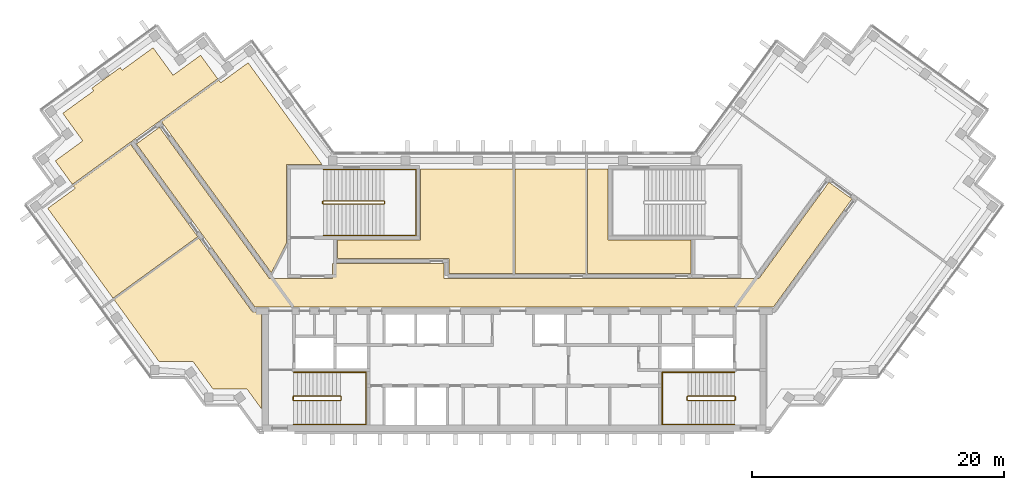
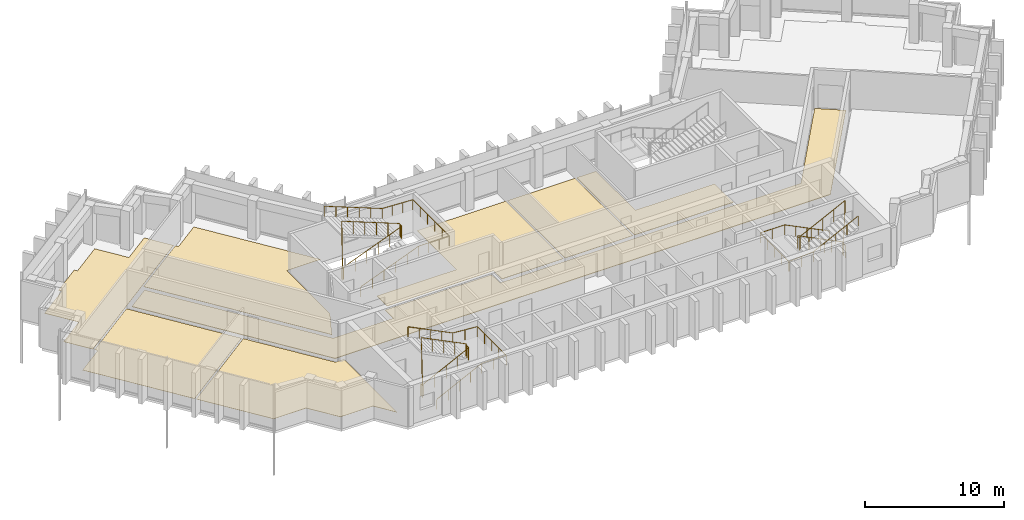
# One storey, part 12 of 13: 8 coverings, 6 railings.
"""IFC4 building model written with IfcOpenShell, lengths in metres."""

from ifc_helpers import new_model, si_unit, direction, frame, origin, origin_2d, place, context, subcontext, project, spatial, polyline, circle, outline, extrude, material, layer, layer_set, type_object, element, save


model = new_model("IFC4")

# Units and contexts
model_context = context("Model", 3, precision=1e-05, world=origin(), true_north=direction((0.0, 1.0)))
body_context = subcontext(model_context, "Body", "Model", "MODEL_VIEW")
ifc_project = project(units=[si_unit("LENGTHUNIT", "METRE"), si_unit("AREAUNIT", "SQUARE_METRE"), si_unit("VOLUMEUNIT", "CUBIC_METRE"), si_unit("PLANEANGLEUNIT", "RADIAN"), si_unit("MASSUNIT", "GRAM", prefix="KILO")], contexts=[model_context])

# Site, building, storey
site_placement = place(None, origin())
site = spatial("IfcSite", under=ifc_project, at=site_placement, CompositionType="ELEMENT")
building_placement = place(site_placement, origin())
building = spatial("IfcBuilding", under=site, at=building_placement, Name="Quipu Civic Tower", CompositionType="ELEMENT")
storey_placement = place(building_placement, frame((0.0, 0.0, 297.0)))
storey = spatial("IfcBuildingStorey", under=building, at=storey_placement, Name="L69", CompositionType="ELEMENT", Elevation=297.0)

# Coverings
ifc_material_1 = material(Name="Carpet tile on raised access floor")
ifc_layer_1 = layer(ifc_material_1, 0.02001953125)
ifc_layer_set_1 = layer_set([ifc_layer_1], Name="Carpet tile on raised access floor")
covering_type_1 = type_object("IfcCoveringType", Name="Carpet tile floor finish 20", PredefinedType="FLOORING", material=ifc_layer_set_1)
covering_1_placement = place(storey_placement, origin())
element("IfcCovering", 1, at=covering_1_placement, inside=storey, type_object=covering_type_1, Name="Carpet tile floor finish 20", PredefinedType="FLOORING", context=body_context, shape_type="SweptSolid", body=[
    extrude(outline(polyline([(-27.987060546875, 13.5791015625), (-23.447998046875, 16.876953125), (-23.299072265625, 16.676025390625), (-21.115966796875, 18.260986328125), (-15.238037109375, 10.169921875), (-18.070068359375, 10.1689453125), (-18.070068359375, 3.94189453125), (-19.27197265625, 1.583984375), (-27.987060546875, 13.5791015625)])), origin(), (0.0, 0.0, 1.0), 0.02001953125),
])
covering_2_placement = place(storey_placement, origin())
element("IfcCovering", 2, at=covering_2_placement, inside=storey, type_object=covering_type_1, Name="Carpet tile floor finish 20", PredefinedType="FLOORING", context=body_context, shape_type="SweptSolid", body=[
    extrude(outline(polyline([(-31.758056640625, -0.5390625), (-25.034912109375, 4.344970703125), (-20.77490234375, -1.51904296875), (-20.070068359375, -1.52001953125), (-20.070068359375, -9.195068359375), (-21.196044921875, -7.64599609375), (-23.89501953125, -7.64599609375), (-25.48193359375, -5.4619140625), (-28.181884765625, -5.4609375), (-31.758056640625, -0.5390625)])), origin(), (0.0, 0.0, 1.0), 0.02001953125),
])
covering_3_placement = place(storey_placement, origin())
element("IfcCovering", 3, at=covering_3_placement, inside=storey, type_object=covering_type_1, Name="Carpet tile floor finish 20", PredefinedType="FLOORING", context=body_context, shape_type="SweptSolid", body=[
    extrude(outline(polyline([(-14.030029296875, 2.719970703125), (-14.030029296875, 4.179931640625), (-7.430908203125, 4.180908203125), (-7.429931640625, 9.830078125), (-0.070068359375, 9.830078125), (-0.070068359375, 1.52001953125), (-5.179931640625, 1.52001953125), (-5.181884765625, 2.719970703125), (-14.030029296875, 2.719970703125)])), origin(), (0.0, 0.0, 1.0), 0.02001953125),
])
covering_4_placement = place(storey_placement, origin())
element("IfcCovering", 4, at=covering_4_placement, inside=storey, type_object=covering_type_1, Name="Carpet tile floor finish 20", PredefinedType="FLOORING", context=body_context, shape_type="SweptSolid", body=[
    extrude(outline(polyline([(-37.02197265625, 6.7060546875), (-34.839111328125, 8.291015625), (-34.985107421875, 8.493896484375), (-30.446044921875, 11.7919921875), (-25.117919921875, 4.4580078125), (-31.841064453125, -0.426025390625), (-37.02197265625, 6.7060546875)])), origin(), (0.0, 0.0, 1.0), 0.02001953125),
])
covering_5_placement = place(storey_placement, origin())
element("IfcCovering", 5, at=covering_5_placement, inside=storey, type_object=covering_type_1, Name="Carpet tile floor finish 20", PredefinedType="FLOORING", context=body_context, shape_type="SweptSolid", body=[
    extrude(outline(polyline([(0.070068359375, 9.830078125), (5.68798828125, 9.830078125), (5.68798828125, 1.52001953125), (0.070068359375, 1.52001953125), (0.070068359375, 9.830078125)])), origin(), (0.0, 0.0, 1.0), 0.02001953125),
])
covering_6_placement = place(storey_placement, origin())
element("IfcCovering", 6, at=covering_6_placement, inside=storey, type_object=covering_type_1, Name="Carpet tile floor finish 20", PredefinedType="FLOORING", context=body_context, shape_type="SweptSolid", body=[
    extrude(outline(polyline([(-36.425048828125, 10.47705078125), (-34.240966796875, 12.06396484375), (-35.826904296875, 14.248046875), (-33.3701171875, 16.032958984375), (-33.52197265625, 16.2451171875), (-31.27099609375, 17.8798828125), (-31.116943359375, 17.6708984375), (-28.658935546875, 19.455078125), (-27.073974609375, 17.27197265625), (-24.888916015625, 18.85791015625), (-23.531005859375, 16.989013671875), (-35.068115234375, 8.60791015625), (-36.425048828125, 10.47705078125)])), origin(), (0.0, 0.0, 1.0), 0.02001953125),
])
ifc_material_2 = material(Name="Ceramic floor tile")
ifc_layer_2 = layer(ifc_material_2, 0.030029296875)
ifc_layer_set_2 = layer_set([ifc_layer_2], Name="Ceramic floor tile")
covering_type_2 = type_object("IfcCoveringType", Name="Ceramic tile floor finish 30", PredefinedType="FLOORING", material=ifc_layer_set_2)
covering_7_placement = place(storey_placement, origin())
element("IfcCovering", 7, at=covering_7_placement, inside=storey, type_object=covering_type_2, Name="Ceramic tile floor finish 30", PredefinedType="FLOORING", context=body_context, shape_type="SweptSolid", body=[
    extrude(outline(polyline([(5.827880859375, 1.52001953125), (5.827880859375, 9.830078125), (7.429931640625, 9.830078125), (7.430908203125, 4.179931640625), (14.030029296875, 4.179931640625), (14.030029296875, 1.52001953125), (5.827880859375, 1.52001953125)])), origin(), (0.0, 0.0, 1.0), 0.030029296875),
])

# Railings
ifc_material_3 = material(Name="Stainless steel", Category="steel")
railing_type_1 = type_object("IfcRailingType", Name="Stair guard 1100", PredefinedType="GUARDRAIL", material=ifc_material_3)
railing_1_placement = place(storey_placement, frame((-17.5, -8.550048828125, 0.15380859375)))
element("IfcRailing", 8, at=railing_1_placement, inside=storey, type_object=railing_type_1, Name="Stair 1 guard", PredefinedType="GUARDRAIL", context=body_context, shape_type="SweptSolid", body=[
    extrude(circle(Radius=0.02392578125, at=origin_2d()), frame((0.0, 0.0, 1.076171875), z_axis=(0.895751851347, 0.0, 0.444554407028), x_axis=(0.0, 1.0, 0.0)), (0.0, 0.0, 1.0), 4.15283203125),
    extrude(circle(Radius=0.02392578125, at=origin_2d()), frame((3.719970703125, 0.0, 2.92236328125), z_axis=(0.707106781187, 0.707106781187, 0.0), x_axis=(-0.707106781187, 0.707106781187, 0.0)), (0.0, 0.0, 1.0), 0.07080078125),
    extrude(circle(Radius=0.02392578125, at=origin_2d()), frame((3.77001953125, 0.050048828125, 2.92236328125), z_axis=(0.0, 1.0, 0.0), x_axis=(-1.0, 0.0, 0.0)), (0.0, 0.0, 1.0), 0.25),
    extrude(circle(Radius=0.02392578125, at=origin_2d()), frame((3.77001953125, 0.300048828125, 2.92236328125), z_axis=(-0.295599637079, 0.295599637079, 0.908428152975), x_axis=(-0.707106781187, -0.707106781187, 0.0)), (0.0, 0.0, 1.0), 0.16943359375),
    extrude(circle(Radius=0.02392578125, at=origin_2d()), frame((3.719970703125, 0.35009765625, 3.076171875), z_axis=(-0.895751851347, 0.0, 0.444554407028), x_axis=(0.0, -1.0, 0.0)), (0.0, 0.0, 1.0), 4.15283203125),
    extrude(circle(Radius=0.02392578125, at=origin_2d()), frame((0.0, 0.35009765625, 4.92236328125), z_axis=(-0.012476181752, -0.074796231092, -0.997120789425), x_axis=(0.986372223864, -0.164529134168, 0.0)), (0.0, 0.0, 1.0), 4.011474609375),
    extrude(circle(Radius=0.02392578125, at=origin_2d()), frame((-0.050048828125, 0.050048828125, 0.92236328125), z_axis=(0.0, 1.0, 0.0), x_axis=(-1.0, 0.0, 0.0)), (0.0, 0.0, 1.0), 0.25),
    extrude(circle(Radius=0.02099609375, at=origin_2d()), origin(), (0.0, 0.0, 1.0), 1.052001953125),
    extrude(circle(Radius=0.02099609375, at=origin_2d()), frame((0.929931640625, 0.0, 0.46142578125)), (0.0, 0.0, 1.0), 1.052001953125),
    extrude(circle(Radius=0.02099609375, at=origin_2d()), frame((1.85986328125, 0.0, 0.923095703125)), (0.0, 0.0, 1.0), 1.052001953125),
    extrude(circle(Radius=0.02099609375, at=origin_2d()), frame((2.7900390625, 0.0, 1.384765625)), (0.0, 0.0, 1.0), 1.052001953125),
    extrude(circle(Radius=0.02099609375, at=origin_2d()), frame((3.719970703125, 0.0, 1.84619140625)), (0.0, 0.0, 1.0), 1.052001953125),
    extrude(circle(Radius=0.02099609375, at=origin_2d()), frame((3.77001953125, 0.050048828125, 1.84619140625)), (0.0, 0.0, 1.0), 1.052001953125),
    extrude(circle(Radius=0.02099609375, at=origin_2d()), frame((3.77001953125, 0.300048828125, 1.84619140625)), (0.0, 0.0, 1.0), 1.052001953125),
    extrude(circle(Radius=0.02099609375, at=origin_2d()), frame((3.719970703125, 0.35009765625, 2.0)), (0.0, 0.0, 1.0), 1.052001953125),
    extrude(circle(Radius=0.02099609375, at=origin_2d()), frame((2.7900390625, 0.35009765625, 2.46142578125)), (0.0, 0.0, 1.0), 1.052001953125),
    extrude(circle(Radius=0.02099609375, at=origin_2d()), frame((1.85986328125, 0.35009765625, 2.923095703125)), (0.0, 0.0, 1.0), 1.052001953125),
    extrude(circle(Radius=0.02099609375, at=origin_2d()), frame((0.929931640625, 0.35009765625, 3.384765625)), (0.0, 0.0, 1.0), 1.052001953125),
    extrude(circle(Radius=0.02099609375, at=origin_2d()), frame((0.0, 0.35009765625, 3.84619140625)), (0.0, 0.0, 1.0), 1.052001953125),
    extrude(circle(Radius=0.02099609375, at=origin_2d()), frame((-0.012451171875, 0.275146484375, 2.84619140625)), (0.0, 0.0, 1.0), 1.052001953125),
    extrude(circle(Radius=0.02099609375, at=origin_2d()), frame((-0.02490234375, 0.2001953125, 1.84619140625)), (0.0, 0.0, 1.0), 1.052001953125),
    extrude(circle(Radius=0.02099609375, at=origin_2d()), frame((-0.03759765625, 0.125, 0.84619140625)), (0.0, 0.0, 1.0), 1.052001953125),
    extrude(circle(Radius=0.02099609375, at=origin_2d()), frame((-0.050048828125, 0.050048828125, -0.15380859375)), (0.0, 0.0, 1.0), 1.052001953125),
    extrude(circle(Radius=0.02099609375, at=origin_2d()), frame((-0.050048828125, 0.300048828125, -0.15380859375)), (0.0, 0.0, 1.0), 1.052001953125),
])
railing_2_placement = place(storey_placement, frame((17.5, -8.199951171875, 0.15380859375)))
element("IfcRailing", 9, at=railing_2_placement, inside=storey, type_object=railing_type_1, Name="Stair 2 guard", PredefinedType="GUARDRAIL", context=body_context, shape_type="SweptSolid", body=[
    extrude(circle(Radius=0.02392578125, at=origin_2d()), frame((0.0, 0.0, 1.076171875), z_axis=(-0.895751851347, 0.0, 0.444554407028), x_axis=(0.0, -1.0, 0.0)), (0.0, 0.0, 1.0), 4.15283203125),
    extrude(circle(Radius=0.02392578125, at=origin_2d()), frame((-3.719970703125, 0.0, 2.92236328125), z_axis=(-0.707106781187, -0.707106781187, 0.0), x_axis=(0.707106781187, -0.707106781187, 0.0)), (0.0, 0.0, 1.0), 0.07080078125),
    extrude(circle(Radius=0.02392578125, at=origin_2d()), frame((-3.77001953125, -0.050048828125, 2.92236328125), z_axis=(0.0, -1.0, 0.0), x_axis=(1.0, 0.0, 0.0)), (0.0, 0.0, 1.0), 0.25),
    extrude(circle(Radius=0.02392578125, at=origin_2d()), frame((-3.77001953125, -0.300048828125, 2.92236328125), z_axis=(0.295599637079, -0.295599637079, 0.908428152975), x_axis=(0.707106781187, 0.707106781187, 0.0)), (0.0, 0.0, 1.0), 0.16943359375),
    extrude(circle(Radius=0.02392578125, at=origin_2d()), frame((-3.719970703125, -0.35009765625, 3.076171875), z_axis=(0.895751851347, 0.0, 0.444554407028), x_axis=(0.0, 1.0, 0.0)), (0.0, 0.0, 1.0), 4.15283203125),
    extrude(circle(Radius=0.02392578125, at=origin_2d()), frame((0.0, -0.35009765625, 4.92236328125), z_axis=(0.012476181752, 0.074796231092, -0.997120789425), x_axis=(-0.986372223864, 0.164529134168, 0.0)), (0.0, 0.0, 1.0), 4.011474609375),
    extrude(circle(Radius=0.02392578125, at=origin_2d()), frame((0.050048828125, -0.050048828125, 0.92236328125), z_axis=(0.0, -1.0, 0.0), x_axis=(1.0, 0.0, 0.0)), (0.0, 0.0, 1.0), 0.25),
    extrude(circle(Radius=0.02099609375, at=origin_2d()), origin(), (0.0, 0.0, 1.0), 1.052001953125),
    extrude(circle(Radius=0.02099609375, at=origin_2d()), frame((-0.929931640625, 0.0, 0.46142578125)), (0.0, 0.0, 1.0), 1.052001953125),
    extrude(circle(Radius=0.02099609375, at=origin_2d()), frame((-1.85986328125, 0.0, 0.923095703125)), (0.0, 0.0, 1.0), 1.052001953125),
    extrude(circle(Radius=0.02099609375, at=origin_2d()), frame((-2.7900390625, 0.0, 1.384765625)), (0.0, 0.0, 1.0), 1.052001953125),
    extrude(circle(Radius=0.02099609375, at=origin_2d()), frame((-3.719970703125, 0.0, 1.84619140625)), (0.0, 0.0, 1.0), 1.052001953125),
    extrude(circle(Radius=0.02099609375, at=origin_2d()), frame((-3.77001953125, -0.050048828125, 1.84619140625)), (0.0, 0.0, 1.0), 1.052001953125),
    extrude(circle(Radius=0.02099609375, at=origin_2d()), frame((-3.77001953125, -0.300048828125, 1.84619140625)), (0.0, 0.0, 1.0), 1.052001953125),
    extrude(circle(Radius=0.02099609375, at=origin_2d()), frame((-3.719970703125, -0.35009765625, 2.0)), (0.0, 0.0, 1.0), 1.052001953125),
    extrude(circle(Radius=0.02099609375, at=origin_2d()), frame((-2.7900390625, -0.35009765625, 2.46142578125)), (0.0, 0.0, 1.0), 1.052001953125),
    extrude(circle(Radius=0.02099609375, at=origin_2d()), frame((-1.85986328125, -0.35009765625, 2.923095703125)), (0.0, 0.0, 1.0), 1.052001953125),
    extrude(circle(Radius=0.02099609375, at=origin_2d()), frame((-0.929931640625, -0.35009765625, 3.384765625)), (0.0, 0.0, 1.0), 1.052001953125),
    extrude(circle(Radius=0.02099609375, at=origin_2d()), frame((0.0, -0.35009765625, 3.84619140625)), (0.0, 0.0, 1.0), 1.052001953125),
    extrude(circle(Radius=0.02099609375, at=origin_2d()), frame((0.012451171875, -0.275146484375, 2.84619140625)), (0.0, 0.0, 1.0), 1.052001953125),
    extrude(circle(Radius=0.02099609375, at=origin_2d()), frame((0.02490234375, -0.2001953125, 1.84619140625)), (0.0, 0.0, 1.0), 1.052001953125),
    extrude(circle(Radius=0.02099609375, at=origin_2d()), frame((0.03759765625, -0.125, 0.84619140625)), (0.0, 0.0, 1.0), 1.052001953125),
    extrude(circle(Radius=0.02099609375, at=origin_2d()), frame((0.050048828125, -0.050048828125, -0.15380859375)), (0.0, 0.0, 1.0), 1.052001953125),
    extrude(circle(Radius=0.02099609375, at=origin_2d()), frame((0.050048828125, -0.300048828125, -0.15380859375)), (0.0, 0.0, 1.0), 1.052001953125),
])
railing_3_placement = place(storey_placement, frame((-15.14990234375, 7.050048828125, 0.11767578125)))
element("IfcRailing", 10, at=railing_3_placement, inside=storey, type_object=railing_type_1, Name="Stair 3 guard", PredefinedType="GUARDRAIL", context=body_context, shape_type="SweptSolid", body=[
    extrude(circle(Radius=0.02392578125, at=origin_2d()), frame((0.0, 0.0, 1.076171875), z_axis=(0.930970042603, 0.0, 0.365095576219), x_axis=(0.0, 1.0, 0.0)), (0.0, 0.0, 1.0), 5.15576171875),
    extrude(circle(Radius=0.02392578125, at=origin_2d()), frame((4.7998046875, 0.0, 2.95849609375), z_axis=(0.707106781187, 0.707106781187, 0.0), x_axis=(-0.707106781187, 0.707106781187, 0.0)), (0.0, 0.0, 1.0), 0.07080078125),
    extrude(circle(Radius=0.02392578125, at=origin_2d()), frame((4.849853515625, 0.050048828125, 2.95849609375), z_axis=(0.0, 1.0, 0.0), x_axis=(-1.0, 0.0, 0.0)), (0.0, 0.0, 1.0), 0.14990234375),
    extrude(circle(Radius=0.02392578125, at=origin_2d()), frame((4.849853515625, 0.199951171875, 2.95849609375), z_axis=(-0.364463019033, 0.364463019033, 0.856932561824), x_axis=(-0.707106781187, -0.707106781187, 0.0)), (0.0, 0.0, 1.0), 0.13720703125),
    extrude(circle(Radius=0.02392578125, at=origin_2d()), frame((4.7998046875, 0.25, 3.076171875), z_axis=(-0.930970042603, 0.0, 0.365095576219), x_axis=(0.0, -1.0, 0.0)), (0.0, 0.0, 1.0), 5.15576171875),
    extrude(circle(Radius=0.02392578125, at=origin_2d()), frame((0.0, 0.25, 4.95849609375), z_axis=(-0.012495627992, -0.049921557685, -0.998674970829), x_axis=(0.970072785993, -0.242814311512, 0.0)), (0.0, 0.0, 1.0), 4.00537109375),
    extrude(circle(Radius=0.02392578125, at=origin_2d()), frame((-0.050048828125, 0.050048828125, 0.95849609375), z_axis=(0.0, 1.0, 0.0), x_axis=(-1.0, 0.0, 0.0)), (0.0, 0.0, 1.0), 0.14990234375),
    extrude(circle(Radius=0.02099609375, at=origin_2d()), origin(), (0.0, 0.0, 1.0), 1.052001953125),
    extrude(circle(Radius=0.02099609375, at=origin_2d()), frame((0.9599609375, 0.0, 0.37646484375)), (0.0, 0.0, 1.0), 1.052001953125),
    extrude(circle(Radius=0.02099609375, at=origin_2d()), frame((1.919921875, 0.0, 0.7529296875)), (0.0, 0.0, 1.0), 1.052001953125),
    extrude(circle(Radius=0.02099609375, at=origin_2d()), frame((2.8798828125, 0.0, 1.12939453125)), (0.0, 0.0, 1.0), 1.052001953125),
    extrude(circle(Radius=0.02099609375, at=origin_2d()), frame((3.83984375, 0.0, 1.505859375)), (0.0, 0.0, 1.0), 1.052001953125),
    extrude(circle(Radius=0.02099609375, at=origin_2d()), frame((4.7998046875, 0.0, 1.88232421875)), (0.0, 0.0, 1.0), 1.052001953125),
    extrude(circle(Radius=0.02099609375, at=origin_2d()), frame((4.849853515625, 0.050048828125, 1.88232421875)), (0.0, 0.0, 1.0), 1.052001953125),
    extrude(circle(Radius=0.02099609375, at=origin_2d()), frame((4.849853515625, 0.199951171875, 1.88232421875)), (0.0, 0.0, 1.0), 1.052001953125),
    extrude(circle(Radius=0.02099609375, at=origin_2d()), frame((4.7998046875, 0.25, 2.0)), (0.0, 0.0, 1.0), 1.052001953125),
    extrude(circle(Radius=0.02099609375, at=origin_2d()), frame((3.83984375, 0.25, 2.37646484375)), (0.0, 0.0, 1.0), 1.052001953125),
    extrude(circle(Radius=0.02099609375, at=origin_2d()), frame((2.8798828125, 0.25, 2.7529296875)), (0.0, 0.0, 1.0), 1.052001953125),
    extrude(circle(Radius=0.02099609375, at=origin_2d()), frame((1.919921875, 0.25, 3.12939453125)), (0.0, 0.0, 1.0), 1.052001953125),
    extrude(circle(Radius=0.02099609375, at=origin_2d()), frame((0.9599609375, 0.25, 3.505859375)), (0.0, 0.0, 1.0), 1.052001953125),
    extrude(circle(Radius=0.02099609375, at=origin_2d()), frame((0.0, 0.25, 3.88232421875)), (0.0, 0.0, 1.0), 1.052001953125),
    extrude(circle(Radius=0.02099609375, at=origin_2d()), frame((-0.012451171875, 0.199951171875, 2.88232421875)), (0.0, 0.0, 1.0), 1.052001953125),
    extrude(circle(Radius=0.02099609375, at=origin_2d()), frame((-0.02490234375, 0.14990234375, 1.88232421875)), (0.0, 0.0, 1.0), 1.052001953125),
    extrude(circle(Radius=0.02099609375, at=origin_2d()), frame((-0.03759765625, 0.10009765625, 0.88232421875)), (0.0, 0.0, 1.0), 1.052001953125),
    extrude(circle(Radius=0.02099609375, at=origin_2d()), frame((-0.050048828125, 0.050048828125, -0.11767578125)), (0.0, 0.0, 1.0), 1.052001953125),
    extrude(circle(Radius=0.02099609375, at=origin_2d()), frame((-0.050048828125, 0.199951171875, -0.11767578125)), (0.0, 0.0, 1.0), 1.052001953125),
])
ifc_material_4 = material(Name="Stainless steel", Category="steel")
railing_type_2 = type_object("IfcRailingType", Name="Stair handrail", PredefinedType="HANDRAIL", material=ifc_material_4)
railing_4_placement = place(storey_placement, frame((-17.5, -10.449951171875, 0.15380859375)))
element("IfcRailing", 11, at=railing_4_placement, inside=storey, type_object=railing_type_2, Name="Stair 1 handrail", PredefinedType="HANDRAIL", context=body_context, shape_type="SweptSolid", body=[
    extrude(circle(Radius=0.02392578125, at=origin_2d()), frame((0.0, 0.0, 0.8759765625), z_axis=(0.895751851347, 0.0, 0.444554407028), x_axis=(0.0, 1.0, 0.0)), (0.0, 0.0, 1.0), 4.15283203125),
    extrude(circle(Radius=0.02392578125, at=origin_2d()), frame((3.719970703125, 0.0, 2.72216796875), z_axis=(1.0, 0.0, 0.0), x_axis=(0.0, 1.0, 0.0)), (0.0, 0.0, 1.0), 2.030029296875),
    extrude(circle(Radius=0.02392578125, at=origin_2d()), frame((5.75, 0.0, 2.72216796875), z_axis=(0.0, 1.0, 0.0), x_axis=(-1.0, 0.0, 0.0)), (0.0, 0.0, 1.0), 4.14990234375),
    extrude(circle(Radius=0.02392578125, at=origin_2d()), frame((5.75, 4.14990234375, 2.72216796875), z_axis=(-0.997142003663, 0.0, 0.075550145798), x_axis=(0.0, -1.0, 0.0)), (0.0, 0.0, 1.0), 2.035888671875),
    extrude(circle(Radius=0.02392578125, at=origin_2d()), frame((3.719970703125, 4.14990234375, 2.8759765625), z_axis=(-0.895751851347, 0.0, 0.444554407028), x_axis=(0.0, -1.0, 0.0)), (0.0, 0.0, 1.0), 4.15283203125),
    extrude(circle(Radius=0.02099609375, at=origin_2d()), origin(), (0.0, 0.0, 1.0), 0.851806640625),
    extrude(circle(Radius=0.02099609375, at=origin_2d()), frame((0.929931640625, 0.0, 0.46142578125)), (0.0, 0.0, 1.0), 0.851806640625),
    extrude(circle(Radius=0.02099609375, at=origin_2d()), frame((1.85986328125, 0.0, 0.923095703125)), (0.0, 0.0, 1.0), 0.851806640625),
    extrude(circle(Radius=0.02099609375, at=origin_2d()), frame((2.7900390625, 0.0, 1.384765625)), (0.0, 0.0, 1.0), 0.851806640625),
    extrude(circle(Radius=0.02099609375, at=origin_2d()), frame((3.719970703125, 0.0, 1.84619140625)), (0.0, 0.0, 1.0), 0.851806640625),
    extrude(circle(Radius=0.02099609375, at=origin_2d()), frame((4.73486328125, 0.0, 1.84619140625)), (0.0, 0.0, 1.0), 0.851806640625),
    extrude(circle(Radius=0.02099609375, at=origin_2d()), frame((5.75, 0.0, 1.84619140625)), (0.0, 0.0, 1.0), 0.851806640625),
    extrude(circle(Radius=0.02099609375, at=origin_2d()), frame((5.75, 1.03759765625, 1.84619140625)), (0.0, 0.0, 1.0), 0.851806640625),
    extrude(circle(Radius=0.02099609375, at=origin_2d()), frame((5.75, 2.074951171875, 1.84619140625)), (0.0, 0.0, 1.0), 0.851806640625),
    extrude(circle(Radius=0.02099609375, at=origin_2d()), frame((5.75, 3.1123046875, 1.84619140625)), (0.0, 0.0, 1.0), 0.851806640625),
    extrude(circle(Radius=0.02099609375, at=origin_2d()), frame((5.75, 4.14990234375, 1.84619140625)), (0.0, 0.0, 1.0), 0.851806640625),
    extrude(circle(Radius=0.02099609375, at=origin_2d()), frame((4.73486328125, 4.14990234375, 1.923095703125)), (0.0, 0.0, 1.0), 0.851806640625),
    extrude(circle(Radius=0.02099609375, at=origin_2d()), frame((3.719970703125, 4.14990234375, 2.0)), (0.0, 0.0, 1.0), 0.851806640625),
    extrude(circle(Radius=0.02099609375, at=origin_2d()), frame((2.7900390625, 4.14990234375, 2.46142578125)), (0.0, 0.0, 1.0), 0.851806640625),
    extrude(circle(Radius=0.02099609375, at=origin_2d()), frame((1.85986328125, 4.14990234375, 2.923095703125)), (0.0, 0.0, 1.0), 0.851806640625),
    extrude(circle(Radius=0.02099609375, at=origin_2d()), frame((0.929931640625, 4.14990234375, 3.384765625)), (0.0, 0.0, 1.0), 0.851806640625),
    extrude(circle(Radius=0.02099609375, at=origin_2d()), frame((0.0, 4.14990234375, 3.84619140625)), (0.0, 0.0, 1.0), 0.851806640625),
])
railing_5_placement = place(storey_placement, frame((17.5, -6.300048828125, 0.15380859375)))
element("IfcRailing", 12, at=railing_5_placement, inside=storey, type_object=railing_type_2, Name="Stair 2 handrail", PredefinedType="HANDRAIL", context=body_context, shape_type="SweptSolid", body=[
    extrude(circle(Radius=0.02392578125, at=origin_2d()), frame((0.0, 0.0, 0.8759765625), z_axis=(-0.895751851347, 0.0, 0.444554407028), x_axis=(0.0, -1.0, 0.0)), (0.0, 0.0, 1.0), 4.15283203125),
    extrude(circle(Radius=0.02392578125, at=origin_2d()), frame((-3.719970703125, 0.0, 2.72216796875), z_axis=(-1.0, 0.0, 0.0), x_axis=(0.0, -1.0, 0.0)), (0.0, 0.0, 1.0), 2.030029296875),
    extrude(circle(Radius=0.02392578125, at=origin_2d()), frame((-5.75, 0.0, 2.72216796875), z_axis=(0.0, -1.0, 0.0), x_axis=(1.0, 0.0, 0.0)), (0.0, 0.0, 1.0), 4.14990234375),
    extrude(circle(Radius=0.02392578125, at=origin_2d()), frame((-5.75, -4.14990234375, 2.72216796875), z_axis=(0.997142003663, 0.0, 0.075550145798), x_axis=(0.0, 1.0, 0.0)), (0.0, 0.0, 1.0), 2.035888671875),
    extrude(circle(Radius=0.02392578125, at=origin_2d()), frame((-3.719970703125, -4.14990234375, 2.8759765625), z_axis=(0.895751851347, 0.0, 0.444554407028), x_axis=(0.0, 1.0, 0.0)), (0.0, 0.0, 1.0), 4.15283203125),
    extrude(circle(Radius=0.02099609375, at=origin_2d()), origin(), (0.0, 0.0, 1.0), 0.851806640625),
    extrude(circle(Radius=0.02099609375, at=origin_2d()), frame((-0.929931640625, 0.0, 0.46142578125)), (0.0, 0.0, 1.0), 0.851806640625),
    extrude(circle(Radius=0.02099609375, at=origin_2d()), frame((-1.85986328125, 0.0, 0.923095703125)), (0.0, 0.0, 1.0), 0.851806640625),
    extrude(circle(Radius=0.02099609375, at=origin_2d()), frame((-2.7900390625, 0.0, 1.384765625)), (0.0, 0.0, 1.0), 0.851806640625),
    extrude(circle(Radius=0.02099609375, at=origin_2d()), frame((-3.719970703125, 0.0, 1.84619140625)), (0.0, 0.0, 1.0), 0.851806640625),
    extrude(circle(Radius=0.02099609375, at=origin_2d()), frame((-4.73486328125, 0.0, 1.84619140625)), (0.0, 0.0, 1.0), 0.851806640625),
    extrude(circle(Radius=0.02099609375, at=origin_2d()), frame((-5.75, 0.0, 1.84619140625)), (0.0, 0.0, 1.0), 0.851806640625),
    extrude(circle(Radius=0.02099609375, at=origin_2d()), frame((-5.75, -1.03759765625, 1.84619140625)), (0.0, 0.0, 1.0), 0.851806640625),
    extrude(circle(Radius=0.02099609375, at=origin_2d()), frame((-5.75, -2.074951171875, 1.84619140625)), (0.0, 0.0, 1.0), 0.851806640625),
    extrude(circle(Radius=0.02099609375, at=origin_2d()), frame((-5.75, -3.1123046875, 1.84619140625)), (0.0, 0.0, 1.0), 0.851806640625),
    extrude(circle(Radius=0.02099609375, at=origin_2d()), frame((-5.75, -4.14990234375, 1.84619140625)), (0.0, 0.0, 1.0), 0.851806640625),
    extrude(circle(Radius=0.02099609375, at=origin_2d()), frame((-4.73486328125, -4.14990234375, 1.923095703125)), (0.0, 0.0, 1.0), 0.851806640625),
    extrude(circle(Radius=0.02099609375, at=origin_2d()), frame((-3.719970703125, -4.14990234375, 2.0)), (0.0, 0.0, 1.0), 0.851806640625),
    extrude(circle(Radius=0.02099609375, at=origin_2d()), frame((-2.7900390625, -4.14990234375, 2.46142578125)), (0.0, 0.0, 1.0), 0.851806640625),
    extrude(circle(Radius=0.02099609375, at=origin_2d()), frame((-1.85986328125, -4.14990234375, 2.923095703125)), (0.0, 0.0, 1.0), 0.851806640625),
    extrude(circle(Radius=0.02099609375, at=origin_2d()), frame((-0.929931640625, -4.14990234375, 3.384765625)), (0.0, 0.0, 1.0), 0.851806640625),
    extrude(circle(Radius=0.02099609375, at=origin_2d()), frame((0.0, -4.14990234375, 3.84619140625)), (0.0, 0.0, 1.0), 0.851806640625),
])
railing_6_placement = place(storey_placement, frame((-15.14990234375, 4.550048828125, 0.11767578125)))
element("IfcRailing", 13, at=railing_6_placement, inside=storey, type_object=railing_type_2, Name="Stair 3 handrail", PredefinedType="HANDRAIL", context=body_context, shape_type="SweptSolid", body=[
    extrude(circle(Radius=0.02392578125, at=origin_2d()), frame((0.0, 0.0, 0.8759765625), z_axis=(0.930970042603, 0.0, 0.365095576219), x_axis=(0.0, 1.0, 0.0)), (0.0, 0.0, 1.0), 5.15576171875),
    extrude(circle(Radius=0.02392578125, at=origin_2d()), frame((4.7998046875, 0.0, 2.75830078125), z_axis=(1.0, 0.0, 0.0), x_axis=(0.0, 1.0, 0.0)), (0.0, 0.0, 1.0), 2.550048828125),
    extrude(circle(Radius=0.02392578125, at=origin_2d()), frame((7.349853515625, 0.0, 2.75830078125), z_axis=(0.0, 1.0, 0.0), x_axis=(-1.0, 0.0, 0.0)), (0.0, 0.0, 1.0), 5.25),
    extrude(circle(Radius=0.02392578125, at=origin_2d()), frame((7.349853515625, 5.25, 2.75830078125), z_axis=(-0.998936948642, 0.0, 0.04609742549), x_axis=(0.0, -1.0, 0.0)), (0.0, 0.0, 1.0), 2.552734375),
    extrude(circle(Radius=0.02392578125, at=origin_2d()), frame((4.7998046875, 5.25, 2.8759765625), z_axis=(-0.930970042603, 0.0, 0.365095576219), x_axis=(0.0, -1.0, 0.0)), (0.0, 0.0, 1.0), 5.15576171875),
    extrude(circle(Radius=0.02099609375, at=origin_2d()), origin(), (0.0, 0.0, 1.0), 0.851806640625),
    extrude(circle(Radius=0.02099609375, at=origin_2d()), frame((0.9599609375, 0.0, 0.37646484375)), (0.0, 0.0, 1.0), 0.851806640625),
    extrude(circle(Radius=0.02099609375, at=origin_2d()), frame((1.919921875, 0.0, 0.7529296875)), (0.0, 0.0, 1.0), 0.851806640625),
    extrude(circle(Radius=0.02099609375, at=origin_2d()), frame((2.8798828125, 0.0, 1.12939453125)), (0.0, 0.0, 1.0), 0.851806640625),
    extrude(circle(Radius=0.02099609375, at=origin_2d()), frame((3.83984375, 0.0, 1.505859375)), (0.0, 0.0, 1.0), 0.851806640625),
    extrude(circle(Radius=0.02099609375, at=origin_2d()), frame((4.7998046875, 0.0, 1.88232421875)), (0.0, 0.0, 1.0), 0.851806640625),
    extrude(circle(Radius=0.02099609375, at=origin_2d()), frame((5.64990234375, 0.0, 1.88232421875)), (0.0, 0.0, 1.0), 0.851806640625),
    extrude(circle(Radius=0.02099609375, at=origin_2d()), frame((6.499755859375, 0.0, 1.88232421875)), (0.0, 0.0, 1.0), 0.851806640625),
    extrude(circle(Radius=0.02099609375, at=origin_2d()), frame((7.349853515625, 0.0, 1.88232421875)), (0.0, 0.0, 1.0), 0.851806640625),
    extrude(circle(Radius=0.02099609375, at=origin_2d()), frame((7.349853515625, 1.050048828125, 1.88232421875)), (0.0, 0.0, 1.0), 0.851806640625),
    extrude(circle(Radius=0.02099609375, at=origin_2d()), frame((7.349853515625, 2.10009765625, 1.88232421875)), (0.0, 0.0, 1.0), 0.851806640625),
    extrude(circle(Radius=0.02099609375, at=origin_2d()), frame((7.349853515625, 3.14990234375, 1.88232421875)), (0.0, 0.0, 1.0), 0.851806640625),
    extrude(circle(Radius=0.02099609375, at=origin_2d()), frame((7.349853515625, 4.199951171875, 1.88232421875)), (0.0, 0.0, 1.0), 0.851806640625),
    extrude(circle(Radius=0.02099609375, at=origin_2d()), frame((7.349853515625, 5.25, 1.88232421875)), (0.0, 0.0, 1.0), 0.851806640625),
    extrude(circle(Radius=0.02099609375, at=origin_2d()), frame((6.499755859375, 5.25, 1.921630859375)), (0.0, 0.0, 1.0), 0.851806640625),
    extrude(circle(Radius=0.02099609375, at=origin_2d()), frame((5.64990234375, 5.25, 1.960693359375)), (0.0, 0.0, 1.0), 0.851806640625),
    extrude(circle(Radius=0.02099609375, at=origin_2d()), frame((4.7998046875, 5.25, 2.0)), (0.0, 0.0, 1.0), 0.851806640625),
    extrude(circle(Radius=0.02099609375, at=origin_2d()), frame((3.83984375, 5.25, 2.37646484375)), (0.0, 0.0, 1.0), 0.851806640625),
    extrude(circle(Radius=0.02099609375, at=origin_2d()), frame((2.8798828125, 5.25, 2.7529296875)), (0.0, 0.0, 1.0), 0.851806640625),
    extrude(circle(Radius=0.02099609375, at=origin_2d()), frame((1.919921875, 5.25, 3.12939453125)), (0.0, 0.0, 1.0), 0.851806640625),
    extrude(circle(Radius=0.02099609375, at=origin_2d()), frame((0.9599609375, 5.25, 3.505859375)), (0.0, 0.0, 1.0), 0.851806640625),
    extrude(circle(Radius=0.02099609375, at=origin_2d()), frame((0.0, 5.25, 3.88232421875)), (0.0, 0.0, 1.0), 0.851806640625),
])

# Covering
ifc_material_5 = material(Name="Terrazzo floor finish")
ifc_layer_3 = layer(ifc_material_5, 0.0400390625)
ifc_layer_set_3 = layer_set([ifc_layer_3], Name="Terrazzo floor finish")
covering_type_3 = type_object("IfcCoveringType", Name="Terrazzo floor finish 40", PredefinedType="FLOORING", material=ifc_layer_set_3)
covering_8_placement = place(storey_placement, origin())
element("IfcCovering", 14, at=covering_8_placement, inside=storey, type_object=covering_type_3, Name="Terrazzo floor finish 40", PredefinedType="FLOORING", context=body_context, shape_type="SweptSolid", body=[
    extrude(outline(polyline([(19.425048828125, 1.1298828125), (24.98095703125, 8.778076171875), (26.80908203125, 7.450927734375), (20.574951171875, -1.1298828125), (-20.574951171875, -1.1298828125), (-29.98291015625, 11.819091796875), (-28.155029296875, 13.14697265625), (-19.425048828125, 1.1298828125), (-14.429931640625, 1.1298828125), (-14.429931640625, 2.330078125), (-5.570068359375, 2.330078125), (-5.570068359375, 1.1298828125), (19.425048828125, 1.1298828125)])), origin(), (0.0, 0.0, 1.0), 0.0400390625),
])

save(model, "model.ifc")
